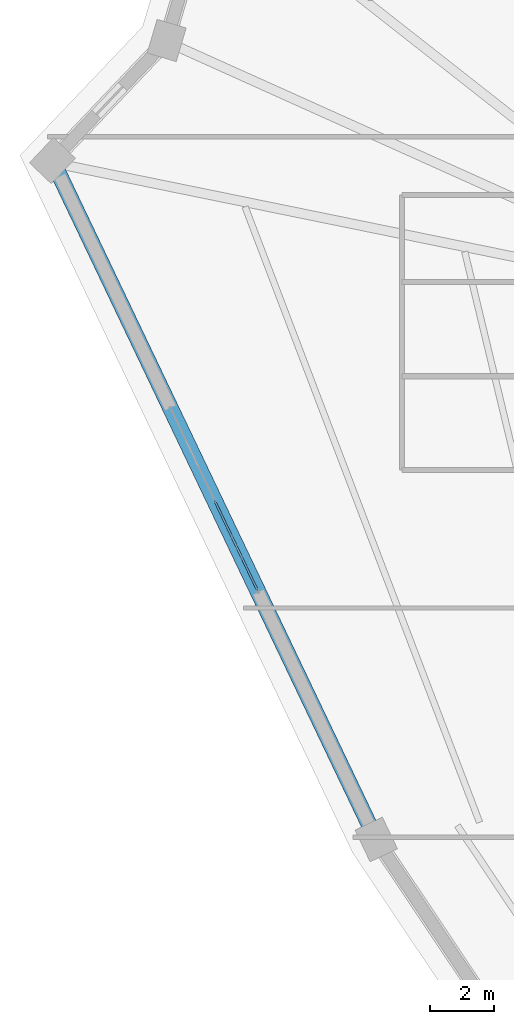
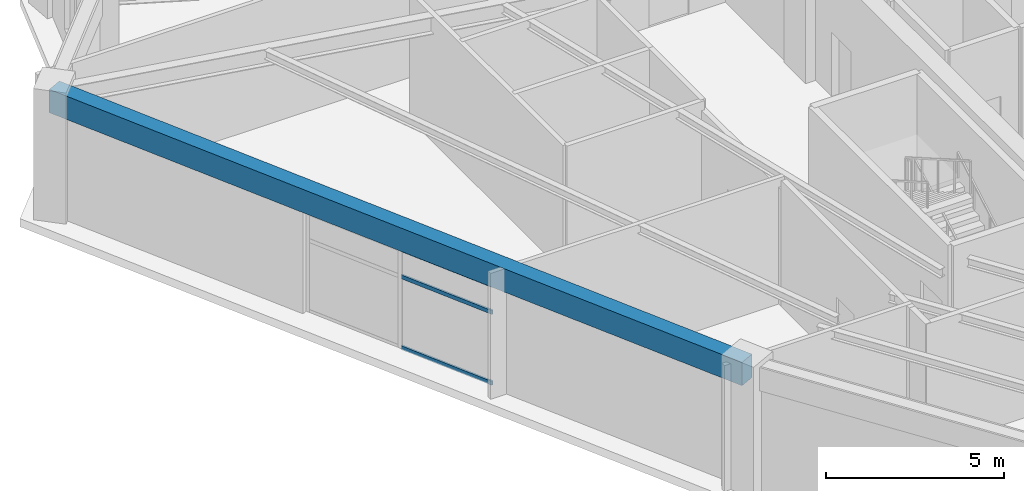
# One storey, part 15 of 35: 3 members, 1 beam, 1 element without a shape of its own.
"""IFC4 building model written with IfcOpenShell, lengths in metres."""

import ifcopenshell
import ifcopenshell.guid

model = None  # the IFC model being written
_history = None  # IfcOwnerHistory: only IFC2X3 demands one
_inside = {}  # id of a spatial element -> (the spatial element, [elements in it])
_under = {}  # id of a project, library or spatial element -> (it, [spatial elements below it])
_declared = {}  # id of a project -> (the project, [libraries it declares])
_typed = {}  # id of a type object -> (the type object, [elements of that type])
_made_of = {}  # id of a material, layer set ... -> (it, [elements and type objects made of it])


def new_model(schema):
    """Start an empty IFC model of exactly this schema.

    Asked for "IFC4X3", IfcOpenShell would pick the latest addendum, in which some entities
    have other attributes; the version numbers below select the first issue.
    IFC2X3 requires an IfcOwnerHistory on every rooted entity: one is made here for all.
    """
    global model, _history
    if schema == "IFC4X3":
        model = ifcopenshell.file(schema_version=(4, 3, 0, 0))
    else:
        model = ifcopenshell.file(schema=schema)
    _inside.clear()
    _under.clear()
    _declared.clear()
    _typed.clear()
    _made_of.clear()
    _history = None
    if model.schema == "IFC2X3":
        org = make("IfcOrganization", Name="unknown")
        user = make(
            "IfcPersonAndOrganization",
            ThePerson=make("IfcPerson", FamilyName="unknown"),
            TheOrganization=org,
        )
        app = make(
            "IfcApplication",
            ApplicationDeveloper=org,
            Version="unknown",
            ApplicationFullName="unknown",
            ApplicationIdentifier="unknown",
        )
        _history = make(
            "IfcOwnerHistory",
            OwningUser=user,
            OwningApplication=app,
            ChangeAction="ADDED",
            CreationDate=0,
        )
    return model


def make(cls, **values):
    """One entity of the class cls with the attributes given. An attribute that is None is left unset."""
    return model.create_entity(
        cls, **{name: value for name, value in values.items() if value is not None}
    )


def rooted(cls, **values):
    """An entity with a GlobalId (a new one), such as an element, a storey or a relation."""
    return make(cls, GlobalId=ifcopenshell.guid.new(), OwnerHistory=_history, **values)


def si_unit(unit_type, name, prefix=None):
    """IfcSIUnit, for example si_unit("LENGTHUNIT", "METRE", prefix="MILLI")."""
    return make("IfcSIUnit", UnitType=unit_type, Prefix=prefix, Name=name)


def assignment(units):
    """IfcUnitAssignment: the units of a project."""
    return None if units is None else make("IfcUnitAssignment", Units=units)


def point(xyz):
    """IfcCartesianPoint."""
    return None if xyz is None else make("IfcCartesianPoint", Coordinates=xyz)


def direction(xyz):
    """IfcDirection."""
    return None if xyz is None else make("IfcDirection", DirectionRatios=xyz)


def frame(location, z_axis=None, x_axis=None):
    """IfcAxis2Placement3D, a coordinate frame: its origin and axes. An axis left out is left unset."""
    return make(
        "IfcAxis2Placement3D",
        Location=point(location),
        Axis=direction(z_axis),
        RefDirection=direction(x_axis),
    )


def frame_2d(location, x_axis=None):
    """IfcAxis2Placement2D, a coordinate frame in the plane: its origin and x axis."""
    return make(
        "IfcAxis2Placement2D", Location=point(location), RefDirection=direction(x_axis)
    )


def origin():
    """The frame at (0, 0, 0) with its axes left unset."""
    return frame((0.0, 0.0, 0.0))


def origin_2d():
    """The frame at (0, 0) in the plane with its x axis left unset."""
    return frame_2d((0.0, 0.0))


def place(relative_to, where):
    """IfcLocalPlacement: puts the frame where relative to a parent placement (None: the world)."""
    return make(
        "IfcLocalPlacement", PlacementRelTo=relative_to, RelativePlacement=where
    )


def context(
    kind, dimensions, precision=None, world=None, true_north=None, identifier=None
):
    """IfcGeometricRepresentationContext, for example the 3D "Model" context."""
    return make(
        "IfcGeometricRepresentationContext",
        ContextIdentifier=identifier,
        ContextType=kind,
        CoordinateSpaceDimension=dimensions,
        Precision=precision,
        WorldCoordinateSystem=world,
        TrueNorth=true_north,
    )


def subcontext(parent, identifier, kind, view, scale=None):
    """IfcGeometricRepresentationSubContext, for example "Body" below "Model"."""
    return make(
        "IfcGeometricRepresentationSubContext",
        ContextIdentifier=identifier,
        ContextType=kind,
        ParentContext=parent,
        TargetScale=scale,
        TargetView=view,
    )


def project(units=None, contexts=None):
    """IfcProject with its units and contexts."""
    return rooted(
        "IfcProject",
        Name="project",
        RepresentationContexts=contexts,
        UnitsInContext=assignment(units),
    )


def spatial(cls, under=None, at=None, **own):
    """A site, building, storey or space (cls), placed at a placement, below another one or the project."""
    s = rooted(cls, ObjectPlacement=at, **own)
    if under is not None:
        _under.setdefault(under.id(), (under, []))[1].append(s)
    return s


def profile(cls, at=None, kind="AREA", **sizes):
    """A parametric profile (cls). Its sizes go by their IFC names, for example OverallWidth=200.0."""
    return make(cls, ProfileType=kind, Position=at, **sizes)


def rectangle(**sizes):
    """IfcRectangleProfileDef."""
    return profile("IfcRectangleProfileDef", **sizes)


def hollow_rectangle(**sizes):
    """IfcRectangleHollowProfileDef."""
    return profile("IfcRectangleHollowProfileDef", **sizes)


def extrude(swept, where, along, depth):
    """IfcExtrudedAreaSolid: the profile swept, set in the frame where, extruded along a direction by depth."""
    return make(
        "IfcExtrudedAreaSolid",
        SweptArea=swept,
        Position=where,
        ExtrudedDirection=direction(along),
        Depth=depth,
    )


def shape(context_of_items, identifier, shape_type, items):
    """IfcShapeRepresentation: the items that make up one representation, for example the "Body"."""
    return make(
        "IfcShapeRepresentation",
        ContextOfItems=context_of_items,
        RepresentationIdentifier=identifier,
        RepresentationType=shape_type,
        Items=items,
    )


def source(mapping_origin, context_of_items, identifier, shape_type, items):
    """IfcRepresentationMap: a shape defined once, which mapped items show again and again."""
    return make(
        "IfcRepresentationMap",
        MappingOrigin=mapping_origin,
        MappedRepresentation=shape(context_of_items, identifier, shape_type, items),
    )


def transform(
    local_origin,
    x_axis=None,
    y_axis=None,
    z_axis=None,
    scale=None,
    scale2=None,
    scale3=None,
    uniform=True,
):
    """IfcCartesianTransformationOperator3D, or its non-uniform kind. x_axis, y_axis, z_axis: its Axis1, 2, 3."""
    if uniform:
        return make(
            "IfcCartesianTransformationOperator3D",
            Axis1=direction(x_axis),
            Axis2=direction(y_axis),
            LocalOrigin=point(local_origin),
            Scale=scale,
            Axis3=direction(z_axis),
        )
    return make(
        "IfcCartesianTransformationOperator3DnonUniform",
        Axis1=direction(x_axis),
        Axis2=direction(y_axis),
        LocalOrigin=point(local_origin),
        Scale=scale,
        Axis3=direction(z_axis),
        Scale2=scale2,
        Scale3=scale3,
    )


def mapped(mapping_source, mapping_target):
    """IfcMappedItem: shows the shape of a source again, moved by a transform."""
    return make(
        "IfcMappedItem", MappingSource=mapping_source, MappingTarget=mapping_target
    )


def material(Name=None, Category=None):
    """IfcMaterial."""
    return make("IfcMaterial", Name=Name, Category=Category)


def layer(
    of_material, thickness, ventilated=None, Name=None, Category=None, Priority=None
):
    """IfcMaterialLayer: one layer of a wall or slab, of a material (None: an air gap)."""
    return make(
        "IfcMaterialLayer",
        Material=of_material,
        LayerThickness=thickness,
        IsVentilated=ventilated,
        Name=Name,
        Category=Category,
        Priority=Priority,
    )


def layer_set(layers, Name=None):
    """IfcMaterialLayerSet."""
    return make("IfcMaterialLayerSet", MaterialLayers=layers, LayerSetName=Name)


def material_profile(
    of_material, cross_section, Name=None, Category=None, Priority=None
):
    """IfcMaterialProfile: a cross section and its material."""
    return make(
        "IfcMaterialProfile",
        Name=Name,
        Material=of_material,
        Profile=cross_section,
        Priority=Priority,
        Category=Category,
    )


def profile_set(profiles, Name=None, composite=None):
    """IfcMaterialProfileSet."""
    return make(
        "IfcMaterialProfileSet",
        Name=Name,
        MaterialProfiles=profiles,
        CompositeProfile=composite,
    )


def made_of(thing, what):
    """Note that an element or type object is made of a material, layer set ...; save() writes the relation."""
    if what is not None:
        _made_of.setdefault(what.id(), (what, []))[1].append(thing)
    return thing


def type_object(cls, material=None, **own):
    """A type object (cls), such as IfcWallType, which elements share."""
    return made_of(rooted(cls, **own), material)


def element(
    cls,
    number,
    at=None,
    inside=None,
    cuts=None,
    type_object=None,
    material=None,
    context=None,
    identifier="Body",
    shape_type=None,
    held_by="IfcProductDefinitionShape",
    body=None,
    shapes=None,
    **own,
):
    """One element of the class cls, such as IfcWall. Its Tag is "e" and its number.

    at: its placement. inside: the storey or other place that contains it. cuts: it is an
    opening in that element (IfcRelVoidsElement). A single representation is given by context,
    identifier, shape_type and body (its items); several are given by shapes. held_by: the class
    of the entity that holds the representations. save() writes the other relations.
    """
    e = rooted(cls, Tag="e%d" % number, ObjectPlacement=at, **own)
    if body is not None:
        shapes = [shape(context, identifier, shape_type, body)]
    if shapes is not None:
        e.Representation = make(held_by, Representations=shapes)
    if inside is not None:
        _inside.setdefault(inside.id(), (inside, []))[1].append(e)
    if cuts is not None:
        rooted(
            "IfcRelVoidsElement", RelatingBuildingElement=cuts, RelatedOpeningElement=e
        )
    if type_object is not None:
        _typed.setdefault(type_object.id(), (type_object, []))[1].append(e)
    return made_of(e, material)


def aggregate(whole, parts):
    """IfcRelAggregates: a whole, such as a stair, and the parts it consists of."""
    return rooted("IfcRelAggregates", RelatingObject=whole, RelatedObjects=parts)


def save(model, path):
    """Write the relations noted so far, then the file.

    IfcRelAggregates (storeys below a building ...), IfcRelContainedInSpatialStructure (elements
    in a storey), IfcRelDefinesByType, IfcRelAssociatesMaterial and IfcRelDeclares: one each for
    every whole, place, type object, material and project.
    """
    for whole, parts in _under.values():
        aggregate(whole, parts)
    for where, things in _inside.values():
        rooted(
            "IfcRelContainedInSpatialStructure",
            RelatedElements=things,
            RelatingStructure=where,
        )
    for kind, things in _typed.values():
        rooted("IfcRelDefinesByType", RelatedObjects=things, RelatingType=kind)
    for what, things in _made_of.values():
        rooted("IfcRelAssociatesMaterial", RelatedObjects=things, RelatingMaterial=what)
    for by, libraries in _declared.values():
        rooted("IfcRelDeclares", RelatingContext=by, RelatedDefinitions=libraries)
    model.write(path)


model = new_model("IFC4")

# Units and contexts
model_context = context("Model", 3, precision=1e-05, world=origin(), true_north=direction((0.0, 1.0)))
body_context = subcontext(model_context, "Body", "Model", "MODEL_VIEW")
ifc_project = project(units=[si_unit("LENGTHUNIT", "METRE"), si_unit("AREAUNIT", "SQUARE_METRE"), si_unit("VOLUMEUNIT", "CUBIC_METRE"), si_unit("PLANEANGLEUNIT", "RADIAN"), si_unit("MASSUNIT", "GRAM", prefix="KILO")], contexts=[model_context])

# Site, building, storey
site_placement = place(None, origin())
site = spatial("IfcSite", under=ifc_project, at=site_placement, CompositionType="ELEMENT")
building_placement = place(site_placement, origin())
building = spatial("IfcBuilding", under=site, at=building_placement, Name="Liaohun Quay Tower", CompositionType="ELEMENT")
storey_placement = place(building_placement, frame((0.0, 0.0, 282.0)))
storey = spatial("IfcBuildingStorey", under=building, at=storey_placement, Name="L73", CompositionType="ELEMENT", Elevation=282.0)

# Beam
ifc_material_1 = material(Name="Precast concrete C50", Category="concrete")
ifc_material_profile_1 = material_profile(ifc_material_1, rectangle(XDim=0.5, YDim=0.800048828125, at=origin_2d()), Name="RC500x800")
ifc_profile_set_1 = profile_set([ifc_material_profile_1], Name="Precast concrete C50")
beam_type = type_object("IfcBeamType", Name="BM-SPD-Z4", PredefinedType="SPANDREL", material=ifc_profile_set_1)
shared_shape_1 = source(origin(), body_context, "Body", "SweptSolid", [
    extrude(rectangle(XDim=0.5, YDim=0.800048828125, at=origin_2d()), origin(), (0.0, 0.0, 1.0), 23.62841796875),
])
beam_placement = place(storey_placement, frame((39.16796875, 44.72900390625, 3.919921875), z_axis=(-0.430492598006, 0.902594107593, 0.0), x_axis=(-0.902594107593, -0.430492598006, 0.0)))
element("IfcBeam", 1, at=beam_placement, inside=storey, type_object=beam_type, Name="L73 Precast Spandrel Beam PC02-PC03", PredefinedType="SPANDREL", context=body_context, shape_type="MappedRepresentation", body=[
    mapped(shared_shape_1, transform((0.0, 0.0, 0.0), x_axis=(1.0, 0.0, 0.0), y_axis=(0.0, 1.0, 0.0), z_axis=(0.0, 0.0, 1.0), scale=1.0)),
])

# Curtain wall, members
ifc_material_2 = material(Name="Upper sky-lobby belvedere curtain wall")
ifc_layer = layer(ifc_material_2, 0.199951171875, Name="Upper sky-lobby belvedere curtain wall")
ifc_layer_set = layer_set([ifc_layer], Name="Upper sky-lobby belvedere curtain wall")
curtain_wall_type = type_object("IfcCurtainWallType", Name="CW-SKY-L73", PredefinedType="NOTDEFINED", material=ifc_layer_set)
curtain_wall_placement = place(storey_placement, origin())
curtain_wall = element("IfcCurtainWall", 2, at=curtain_wall_placement, inside=storey, type_object=curtain_wall_type, Name="L73 Panoramic Belvedere Curtain Wall 05", PredefinedType="NOTDEFINED")
ifc_material_3 = material(Name="Anodised aluminium 6063-T6", Category="aluminium")
ifc_material_profile_2 = material_profile(ifc_material_3, hollow_rectangle(XDim=0.06005859375, YDim=0.135009765625, WallThickness=0.00390625, at=origin_2d()), Name="RHS135x60x4")
ifc_profile_set_2 = profile_set([ifc_material_profile_2], Name="Anodised aluminium 6063-T6")
member_type = type_object("IfcMemberType", Name="MEM-CWT-SKY", PredefinedType="USERDEFINED", material=ifc_profile_set_2)
shared_shape_2 = source(origin(), body_context, "Body", "SweptSolid", [
    extrude(hollow_rectangle(XDim=0.06005859375, YDim=0.135009765625, WallThickness=0.00390625, at=origin_2d()), origin(), (0.0, 0.0, 1.0), 3.10302734375),
])
member_1_placement = place(storey_placement, frame((34.095947265625, 55.36328125, 0.030029296875), z_axis=(0.430614525511, -0.902535944115, 0.0), x_axis=(0.902535944115, 0.430614525511, 0.0)))
member_1 = element("IfcMember", 3, at=member_1_placement, type_object=member_type, Name="CW5 transom 2.1", ObjectType="TRANSOM", PredefinedType="USERDEFINED", context=body_context, shape_type="MappedRepresentation", body=[
    mapped(shared_shape_2, transform((0.0, 0.0, 0.0), x_axis=(1.0, 0.0, 0.0), y_axis=(0.0, 1.0, 0.0), z_axis=(0.0, 0.0, 1.0), scale=1.0)),
])
member_2_placement = place(storey_placement, frame((34.095947265625, 55.36328125, 2.4619140625), z_axis=(0.430614525511, -0.902535944115, 0.0), x_axis=(0.902535944115, 0.430614525511, 0.0)))
member_2 = element("IfcMember", 4, at=member_2_placement, type_object=member_type, Name="CW5 transom 2.2", ObjectType="TRANSOM", PredefinedType="USERDEFINED", context=body_context, shape_type="MappedRepresentation", body=[
    mapped(shared_shape_2, transform((0.0, 0.0, 0.0), x_axis=(1.0, 0.0, 0.0), y_axis=(0.0, 1.0, 0.0), z_axis=(0.0, 0.0, 1.0), scale=1.0)),
])
member_3_placement = place(storey_placement, frame((34.095947265625, 55.36328125, 3.389892578125), z_axis=(0.430614525511, -0.902535944115, 0.0), x_axis=(0.902535944115, 0.430614525511, 0.0)))
member_3 = element("IfcMember", 5, at=member_3_placement, type_object=member_type, Name="CW5 transom 2.3", ObjectType="TRANSOM", PredefinedType="USERDEFINED", context=body_context, shape_type="MappedRepresentation", body=[
    mapped(shared_shape_2, transform((0.0, 0.0, 0.0), x_axis=(1.0, 0.0, 0.0), y_axis=(0.0, 1.0, 0.0), z_axis=(0.0, 0.0, 1.0), scale=1.0)),
])
aggregate(curtain_wall, [member_1, member_2, member_3])

save(model, "model.ifc")
